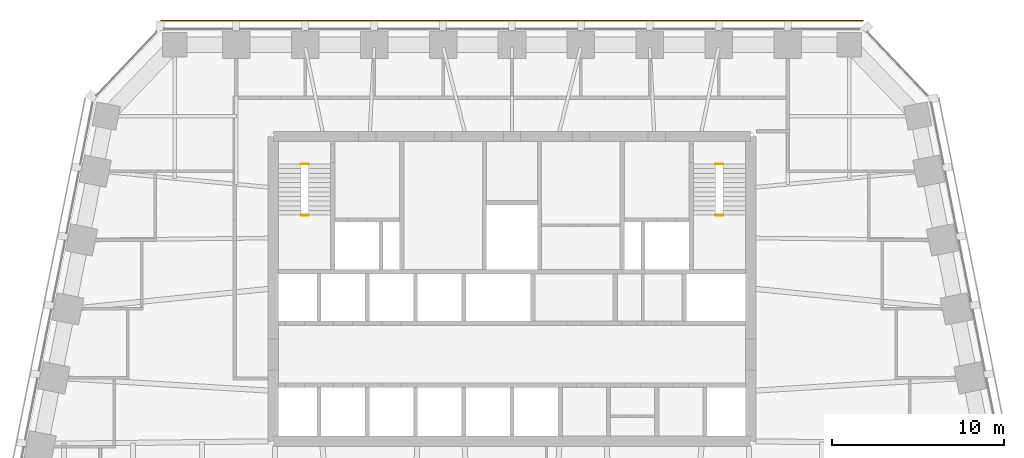
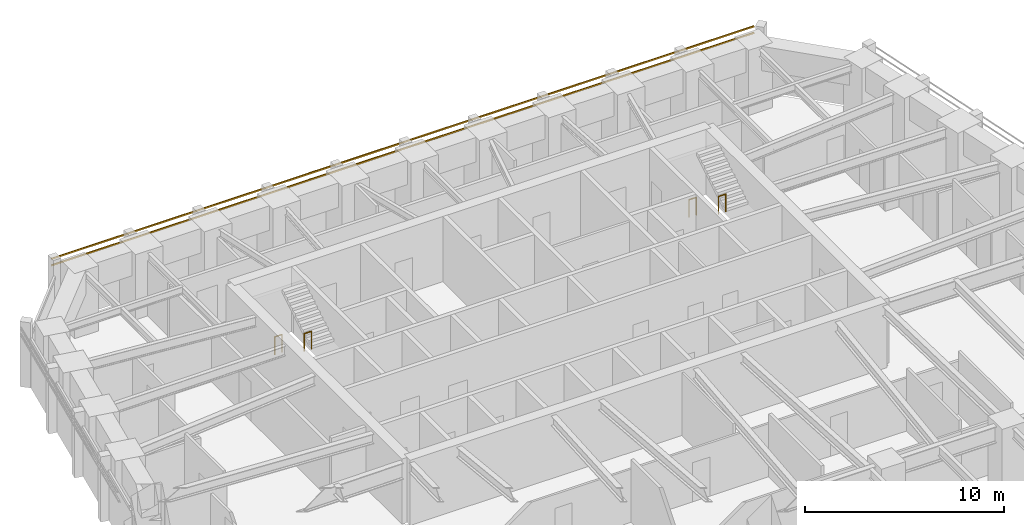
# One storey, part 11 of 11: 4 railings, 2 shading devices.
"""IFC4 building model written with IfcOpenShell, lengths in metres."""

from ifc_helpers import new_model, si_unit, direction, frame, origin, origin_2d, place, context, subcontext, project, spatial, rectangle, circle, extrude, material, material_profile, profile_set, type_object, element, save


model = new_model("IFC4")

# Units and contexts
model_context = context("Model", 3, precision=1e-05, world=origin(), true_north=direction((0.0, 1.0)))
body_context = subcontext(model_context, "Body", "Model", "MODEL_VIEW")
ifc_project = project(units=[si_unit("LENGTHUNIT", "METRE"), si_unit("AREAUNIT", "SQUARE_METRE"), si_unit("VOLUMEUNIT", "CUBIC_METRE"), si_unit("PLANEANGLEUNIT", "RADIAN"), si_unit("MASSUNIT", "GRAM", prefix="KILO")], contexts=[model_context])

# Site, building, storey
site_placement = place(None, origin())
site = spatial("IfcSite", under=ifc_project, at=site_placement, CompositionType="ELEMENT")
building_placement = place(site_placement, origin())
building = spatial("IfcBuilding", under=site, at=building_placement, Name="Isbrekke Arena Tower", CompositionType="ELEMENT")
storey_placement = place(building_placement, frame((0.0, 0.0, 210.0)))
storey = spatial("IfcBuildingStorey", under=building, at=storey_placement, Name="L48", CompositionType="ELEMENT", Elevation=210.0)

# Shading devices
ifc_material_1 = material(Name="Terracotta", Category="masonry")
ifc_material_profile = material_profile(ifc_material_1, rectangle(XDim=0.06005859375, YDim=0.06005859375, at=origin_2d()), Name="BAGUETTE 60X60")
ifc_profile_set = profile_set([ifc_material_profile], Name="Terracotta")
shading_device_type = type_object("IfcShadingDeviceType", Name="BG1 TERRACOTTA BAGUETTE 60 x 60", PredefinedType="USERDEFINED", material=ifc_profile_set)
for number, where, z_axis, x_axis, name in (
    (1, (20.39990234375, 30.580078125, 3.280029296875), (-1.0, 0.0, 0.0), (0.0, -1.0, 0.0), "BG1 terracotta baguette N1 L48"),
    (2, (20.39990234375, 30.580078125, 3.679931640625), (-1.0, 0.0, 0.0), (0.0, -1.0, 0.0), "BG1 terracotta baguette N2 L48"),
):
    element("IfcShadingDevice", number, at=place(storey_placement, frame(where, z_axis=z_axis, x_axis=x_axis)), inside=storey, type_object=shading_device_type, Name=name, ObjectType="TERRACOTTA BAGUETTE", PredefinedType="USERDEFINED", context=body_context, shape_type="SweptSolid", body=[
        extrude(rectangle(XDim=0.06005859375, YDim=0.06005859375, at=origin_2d()), origin(), (0.0, 0.0, 1.0), 40.7998046875),
    ])

# Railings
ifc_material_2 = material(Name="Steel stair guard, vertical bars, steel handrail", Category="steel")
railing_type = type_object("IfcRailingType", Name="GR3 STAIR WELL GUARD 1100", PredefinedType="GUARDRAIL", material=ifc_material_2)
for number, where, name in (
    (3, (-12.25, 22.25, 0.0), "GR3 stair well guard ST1 L48"),
    (4, (-12.25, 19.280029296875, 2.0), "GR3 stair well guard ST1 L48"),
    (5, (11.824951171875, 22.25, 0.0), "GR3 stair well guard ST2 L48"),
    (6, (11.824951171875, 19.280029296875, 2.0), "GR3 stair well guard ST2 L48"),
):
    element("IfcRailing", number, at=place(storey_placement, frame(where)), inside=storey, type_object=railing_type, Name=name, PredefinedType="GUARDRAIL", context=body_context, shape_type="SweptSolid", body=[
        extrude(circle(Radius=0.02392578125, at=origin_2d()), frame((0.0, 0.0, 1.076171875), z_axis=(1.0, 0.0, 0.0), x_axis=(0.0, 1.0, 0.0)), (0.0, 0.0, 1.0), 0.425048828125),
        extrude(circle(Radius=0.02099609375, at=origin_2d()), origin(), (0.0, 0.0, 1.0), 1.052001953125),
        extrude(circle(Radius=0.02099609375, at=origin_2d()), frame((0.425048828125, 0.0, 0.0)), (0.0, 0.0, 1.0), 1.052001953125),
    ])

save(model, "model.ifc")
